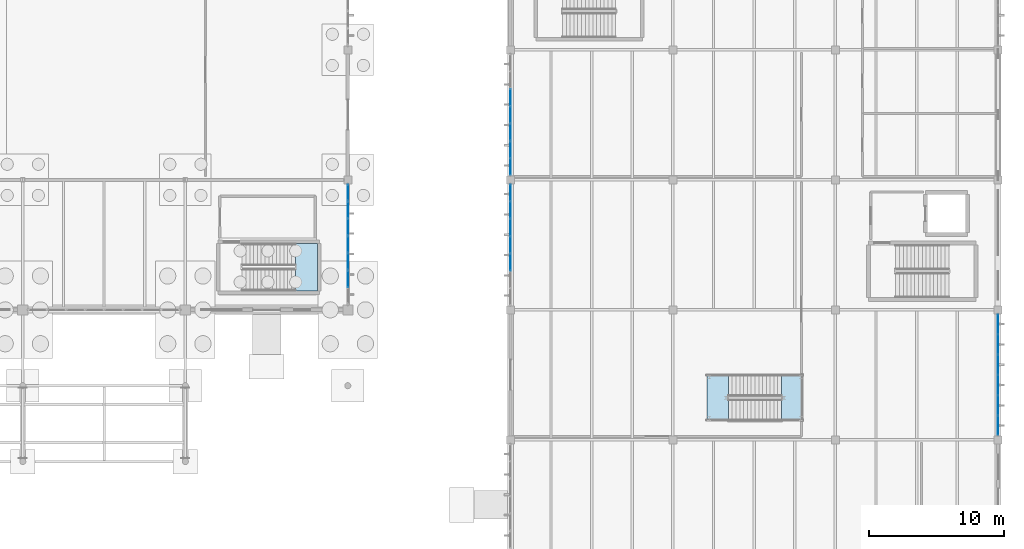
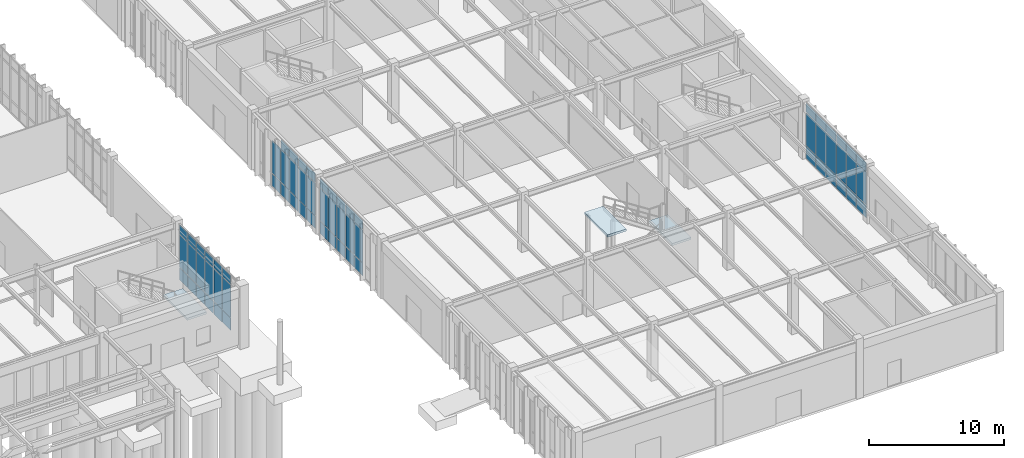
# One storey, part 141 of 188: 65 plates, 3 slabs, 6 elements without a shape of their own.
"""IFC4 building model written with IfcOpenShell, lengths in metres."""

from ifc_helpers import new_model, si_unit, direction, frame, origin, origin_2d, place, context, subcontext, project, spatial, polyline, rectangle, outline, extrude, material, layer, layer_set, type_object, element, aggregate, save


model = new_model("IFC4")

# Units and contexts
model_context = context("Model", 3, precision=1e-05, world=origin(), true_north=direction((0.0, 1.0)))
body_context = subcontext(model_context, "Body", "Model", "MODEL_VIEW")
ifc_project = project(units=[si_unit("LENGTHUNIT", "METRE"), si_unit("AREAUNIT", "SQUARE_METRE"), si_unit("VOLUMEUNIT", "CUBIC_METRE"), si_unit("PLANEANGLEUNIT", "RADIAN"), si_unit("MASSUNIT", "GRAM", prefix="KILO")], contexts=[model_context])

# Site, building, storey
site_placement = place(None, origin())
site = spatial("IfcSite", under=ifc_project, at=site_placement, CompositionType="ELEMENT")
building_placement = place(site_placement, origin())
building = spatial("IfcBuilding", under=site, at=building_placement, Name="Pandanus Reach Market Hall", CompositionType="ELEMENT")
storey_placement = place(building_placement, origin())
storey = spatial("IfcBuildingStorey", under=building, at=storey_placement, Name="L00", CompositionType="ELEMENT", Elevation=0.0)

# Curtain wall, plates
ifc_material_1 = material(Name="Bronze anodised aluminium and low-E glass", Category="aluminium")
ifc_layer_1 = layer(ifc_material_1, 0.159912109375, Name="CW-25")
ifc_layer_set_1 = layer_set([ifc_layer_1], Name="Bronze anodised aluminium and low-E glass")
curtain_wall_type_1 = type_object("IfcCurtainWallType", Name="CW-25", PredefinedType="NOTDEFINED", material=ifc_layer_set_1)
curtain_wall_1_placement = place(storey_placement, origin())
curtain_wall_1 = element("IfcCurtainWall", 1, at=curtain_wall_1_placement, inside=storey, type_object=curtain_wall_type_1, Name="Glazed curtain wall CW-25 CW-0071", PredefinedType="NOTDEFINED")
ifc_material_2 = material(Name="Solar-control double glazing", Category="glass")
ifc_layer_2 = layer(ifc_material_2, 0.028076171875, Name="CW-P1")
ifc_layer_set_2 = layer_set([ifc_layer_2], Name="Solar-control double glazing")
plate_type_1 = type_object("IfcPlateType", Name="CW-P1", PredefinedType="CURTAIN_PANEL", material=ifc_layer_set_2)
plate_1_placement = place(storey_placement, frame((180.0, 20.266357421875, 0.06494140625), z_axis=(0.0, 0.0, 1.0), x_axis=(0.0, 1.0, 0.0)))
plate_1 = element("IfcPlate", 2, at=plate_1_placement, type_object=plate_type_1, Name="CW-25 panel 1.1", PredefinedType="CURTAIN_PANEL", context=body_context, shape_type="SweptSolid", body=[
    extrude(rectangle(XDim=1.402587890625, YDim=0.028076171875, at=origin_2d()), origin(), (0.0, 0.0, 1.0), 1.1025390625),
])
plate_2_placement = place(storey_placement, frame((180.0, 20.266357421875, 1.232421875), z_axis=(0.0, 0.0, 1.0), x_axis=(0.0, 1.0, 0.0)))
plate_2 = element("IfcPlate", 3, at=plate_2_placement, type_object=plate_type_1, Name="CW-25 panel 1.2", PredefinedType="CURTAIN_PANEL", context=body_context, shape_type="SweptSolid", body=[
    extrude(rectangle(XDim=1.402587890625, YDim=0.028076171875, at=origin_2d()), origin(), (0.0, 0.0, 1.0), 2.93505859375),
])
plate_3_placement = place(storey_placement, frame((180.0, 20.266357421875, 4.232421875), z_axis=(0.0, 0.0, 1.0), x_axis=(0.0, 1.0, 0.0)))
plate_3 = element("IfcPlate", 4, at=plate_3_placement, type_object=plate_type_1, Name="CW-25 panel 1.3", PredefinedType="CURTAIN_PANEL", context=body_context, shape_type="SweptSolid", body=[
    extrude(rectangle(XDim=1.402587890625, YDim=0.028076171875, at=origin_2d()), origin(), (0.0, 0.0, 1.0), 0.802490234375),
])
plate_4_placement = place(storey_placement, frame((180.0, 21.75, 0.06494140625), z_axis=(0.0, 0.0, 1.0), x_axis=(0.0, 1.0, 0.0)))
plate_4 = element("IfcPlate", 5, at=plate_4_placement, type_object=plate_type_1, Name="CW-25 panel 2.1", PredefinedType="CURTAIN_PANEL", context=body_context, shape_type="SweptSolid", body=[
    extrude(rectangle(XDim=1.43505859375, YDim=0.028076171875, at=origin_2d()), origin(), (0.0, 0.0, 1.0), 1.1025390625),
])
plate_5_placement = place(storey_placement, frame((180.0, 21.75, 1.232421875), z_axis=(0.0, 0.0, 1.0), x_axis=(0.0, 1.0, 0.0)))
plate_5 = element("IfcPlate", 6, at=plate_5_placement, type_object=plate_type_1, Name="CW-25 panel 2.2", PredefinedType="CURTAIN_PANEL", context=body_context, shape_type="SweptSolid", body=[
    extrude(rectangle(XDim=1.43505859375, YDim=0.028076171875, at=origin_2d()), origin(), (0.0, 0.0, 1.0), 2.93505859375),
])
plate_6_placement = place(storey_placement, frame((180.0, 21.75, 4.232421875), z_axis=(0.0, 0.0, 1.0), x_axis=(0.0, 1.0, 0.0)))
plate_6 = element("IfcPlate", 7, at=plate_6_placement, type_object=plate_type_1, Name="CW-25 panel 2.3", PredefinedType="CURTAIN_PANEL", context=body_context, shape_type="SweptSolid", body=[
    extrude(rectangle(XDim=1.43505859375, YDim=0.028076171875, at=origin_2d()), origin(), (0.0, 0.0, 1.0), 0.802490234375),
])
plate_7_placement = place(storey_placement, frame((180.0, 23.25, 0.06494140625), z_axis=(0.0, 0.0, 1.0), x_axis=(0.0, 1.0, 0.0)))
plate_7 = element("IfcPlate", 8, at=plate_7_placement, type_object=plate_type_1, Name="CW-25 panel 3.1", PredefinedType="CURTAIN_PANEL", context=body_context, shape_type="SweptSolid", body=[
    extrude(rectangle(XDim=1.43505859375, YDim=0.028076171875, at=origin_2d()), origin(), (0.0, 0.0, 1.0), 1.1025390625),
])
plate_8_placement = place(storey_placement, frame((180.0, 23.25, 1.232421875), z_axis=(0.0, 0.0, 1.0), x_axis=(0.0, 1.0, 0.0)))
plate_8 = element("IfcPlate", 9, at=plate_8_placement, type_object=plate_type_1, Name="CW-25 panel 3.2", PredefinedType="CURTAIN_PANEL", context=body_context, shape_type="SweptSolid", body=[
    extrude(rectangle(XDim=1.43505859375, YDim=0.028076171875, at=origin_2d()), origin(), (0.0, 0.0, 1.0), 2.93505859375),
])
plate_9_placement = place(storey_placement, frame((180.0, 23.25, 4.232421875), z_axis=(0.0, 0.0, 1.0), x_axis=(0.0, 1.0, 0.0)))
plate_9 = element("IfcPlate", 10, at=plate_9_placement, type_object=plate_type_1, Name="CW-25 panel 3.3", PredefinedType="CURTAIN_PANEL", context=body_context, shape_type="SweptSolid", body=[
    extrude(rectangle(XDim=1.43505859375, YDim=0.028076171875, at=origin_2d()), origin(), (0.0, 0.0, 1.0), 0.802490234375),
])
plate_10_placement = place(storey_placement, frame((180.0, 24.75, 0.06494140625), z_axis=(0.0, 0.0, 1.0), x_axis=(0.0, 1.0, 0.0)))
plate_10 = element("IfcPlate", 11, at=plate_10_placement, type_object=plate_type_1, Name="CW-25 panel 4.1", PredefinedType="CURTAIN_PANEL", context=body_context, shape_type="SweptSolid", body=[
    extrude(rectangle(XDim=1.43505859375, YDim=0.028076171875, at=origin_2d()), origin(), (0.0, 0.0, 1.0), 1.1025390625),
])
plate_11_placement = place(storey_placement, frame((180.0, 24.75, 1.232421875), z_axis=(0.0, 0.0, 1.0), x_axis=(0.0, 1.0, 0.0)))
plate_11 = element("IfcPlate", 12, at=plate_11_placement, type_object=plate_type_1, Name="CW-25 panel 4.2", PredefinedType="CURTAIN_PANEL", context=body_context, shape_type="SweptSolid", body=[
    extrude(rectangle(XDim=1.43505859375, YDim=0.028076171875, at=origin_2d()), origin(), (0.0, 0.0, 1.0), 2.93505859375),
])
plate_12_placement = place(storey_placement, frame((180.0, 24.75, 4.232421875), z_axis=(0.0, 0.0, 1.0), x_axis=(0.0, 1.0, 0.0)))
plate_12 = element("IfcPlate", 13, at=plate_12_placement, type_object=plate_type_1, Name="CW-25 panel 4.3", PredefinedType="CURTAIN_PANEL", context=body_context, shape_type="SweptSolid", body=[
    extrude(rectangle(XDim=1.43505859375, YDim=0.028076171875, at=origin_2d()), origin(), (0.0, 0.0, 1.0), 0.802490234375),
])
plate_13_placement = place(storey_placement, frame((180.0, 26.25, 0.06494140625), z_axis=(0.0, 0.0, 1.0), x_axis=(0.0, 1.0, 0.0)))
plate_13 = element("IfcPlate", 14, at=plate_13_placement, type_object=plate_type_1, Name="CW-25 panel 5.1", PredefinedType="CURTAIN_PANEL", context=body_context, shape_type="SweptSolid", body=[
    extrude(rectangle(XDim=1.43505859375, YDim=0.028076171875, at=origin_2d()), origin(), (0.0, 0.0, 1.0), 1.1025390625),
])
plate_14_placement = place(storey_placement, frame((180.0, 26.25, 1.232421875), z_axis=(0.0, 0.0, 1.0), x_axis=(0.0, 1.0, 0.0)))
plate_14 = element("IfcPlate", 15, at=plate_14_placement, type_object=plate_type_1, Name="CW-25 panel 5.2", PredefinedType="CURTAIN_PANEL", context=body_context, shape_type="SweptSolid", body=[
    extrude(rectangle(XDim=1.43505859375, YDim=0.028076171875, at=origin_2d()), origin(), (0.0, 0.0, 1.0), 2.93505859375),
])
plate_15_placement = place(storey_placement, frame((180.0, 26.25, 4.232421875), z_axis=(0.0, 0.0, 1.0), x_axis=(0.0, 1.0, 0.0)))
plate_15 = element("IfcPlate", 16, at=plate_15_placement, type_object=plate_type_1, Name="CW-25 panel 5.3", PredefinedType="CURTAIN_PANEL", context=body_context, shape_type="SweptSolid", body=[
    extrude(rectangle(XDim=1.43505859375, YDim=0.028076171875, at=origin_2d()), origin(), (0.0, 0.0, 1.0), 0.802490234375),
])
plate_16_placement = place(storey_placement, frame((180.0, 27.733642578125, 0.06494140625), z_axis=(0.0, 0.0, 1.0), x_axis=(0.0, 1.0, 0.0)))
plate_16 = element("IfcPlate", 17, at=plate_16_placement, type_object=plate_type_1, Name="CW-25 panel 6.1", PredefinedType="CURTAIN_PANEL", context=body_context, shape_type="SweptSolid", body=[
    extrude(rectangle(XDim=1.402587890625, YDim=0.028076171875, at=origin_2d()), origin(), (0.0, 0.0, 1.0), 1.1025390625),
])
plate_17_placement = place(storey_placement, frame((180.0, 27.733642578125, 1.232421875), z_axis=(0.0, 0.0, 1.0), x_axis=(0.0, 1.0, 0.0)))
plate_17 = element("IfcPlate", 18, at=plate_17_placement, type_object=plate_type_1, Name="CW-25 panel 6.2", PredefinedType="CURTAIN_PANEL", context=body_context, shape_type="SweptSolid", body=[
    extrude(rectangle(XDim=1.402587890625, YDim=0.028076171875, at=origin_2d()), origin(), (0.0, 0.0, 1.0), 2.93505859375),
])
plate_18_placement = place(storey_placement, frame((180.0, 27.733642578125, 4.232421875), z_axis=(0.0, 0.0, 1.0), x_axis=(0.0, 1.0, 0.0)))
plate_18 = element("IfcPlate", 19, at=plate_18_placement, type_object=plate_type_1, Name="CW-25 panel 6.3", PredefinedType="CURTAIN_PANEL", context=body_context, shape_type="SweptSolid", body=[
    extrude(rectangle(XDim=1.402587890625, YDim=0.028076171875, at=origin_2d()), origin(), (0.0, 0.0, 1.0), 0.802490234375),
])
aggregate(curtain_wall_1, [plate_1, plate_2, plate_3, plate_4, plate_5, plate_6, plate_7, plate_8, plate_9, plate_10, plate_11, plate_12, plate_13, plate_14, plate_15, plate_16, plate_17, plate_18])

ifc_layer_3 = layer(ifc_material_1, 0.159912109375, Name="CW-26")
ifc_layer_set_3 = layer_set([ifc_layer_3], Name="Bronze anodised aluminium and low-E glass")
curtain_wall_type_2 = type_object("IfcCurtainWallType", Name="CW-26", PredefinedType="NOTDEFINED", material=ifc_layer_set_3)
curtain_wall_2_placement = place(storey_placement, origin())
curtain_wall_2 = element("IfcCurtainWall", 20, at=curtain_wall_2_placement, inside=storey, type_object=curtain_wall_type_2, Name="Glazed curtain wall CW-26 CW-0077", PredefinedType="NOTDEFINED")
plate_19_placement = place(storey_placement, frame((144.0, 32.314208984375, 0.06494140625), z_axis=(0.0, 0.0, 1.0), x_axis=(0.0, 1.0, 0.0)))
plate_19 = element("IfcPlate", 21, at=plate_19_placement, type_object=plate_type_1, Name="CW-26 panel 3.1", PredefinedType="CURTAIN_PANEL", context=body_context, shape_type="SweptSolid", body=[
    extrude(rectangle(XDim=1.220703125, YDim=0.028076171875, at=origin_2d()), origin(), (0.0, 0.0, 1.0), 1.1025390625),
])
plate_20_placement = place(storey_placement, frame((144.0, 32.314208984375, 1.232421875), z_axis=(0.0, 0.0, 1.0), x_axis=(0.0, 1.0, 0.0)))
plate_20 = element("IfcPlate", 22, at=plate_20_placement, type_object=plate_type_1, Name="CW-26 panel 3.2", PredefinedType="CURTAIN_PANEL", context=body_context, shape_type="SweptSolid", body=[
    extrude(rectangle(XDim=1.220703125, YDim=0.028076171875, at=origin_2d()), origin(), (0.0, 0.0, 1.0), 2.93505859375),
])
plate_21_placement = place(storey_placement, frame((144.0, 32.314208984375, 4.232421875), z_axis=(0.0, 0.0, 1.0), x_axis=(0.0, 1.0, 0.0)))
plate_21 = element("IfcPlate", 23, at=plate_21_placement, type_object=plate_type_1, Name="CW-26 panel 3.3", PredefinedType="CURTAIN_PANEL", context=body_context, shape_type="SweptSolid", body=[
    extrude(rectangle(XDim=1.220703125, YDim=0.028076171875, at=origin_2d()), origin(), (0.0, 0.0, 1.0), 0.802490234375),
])
plate_22_placement = place(storey_placement, frame((144.0, 33.60009765625, 0.06494140625), z_axis=(0.0, 0.0, 1.0), x_axis=(0.0, 1.0, 0.0)))
plate_22 = element("IfcPlate", 24, at=plate_22_placement, type_object=plate_type_1, Name="CW-26 panel 4.1", PredefinedType="CURTAIN_PANEL", context=body_context, shape_type="SweptSolid", body=[
    extrude(rectangle(XDim=1.220703125, YDim=0.028076171875, at=origin_2d()), origin(), (0.0, 0.0, 1.0), 1.1025390625),
])
plate_23_placement = place(storey_placement, frame((144.0, 33.60009765625, 1.232421875), z_axis=(0.0, 0.0, 1.0), x_axis=(0.0, 1.0, 0.0)))
plate_23 = element("IfcPlate", 25, at=plate_23_placement, type_object=plate_type_1, Name="CW-26 panel 4.2", PredefinedType="CURTAIN_PANEL", context=body_context, shape_type="SweptSolid", body=[
    extrude(rectangle(XDim=1.220703125, YDim=0.028076171875, at=origin_2d()), origin(), (0.0, 0.0, 1.0), 2.93505859375),
])
plate_24_placement = place(storey_placement, frame((144.0, 33.60009765625, 4.232421875), z_axis=(0.0, 0.0, 1.0), x_axis=(0.0, 1.0, 0.0)))
plate_24 = element("IfcPlate", 26, at=plate_24_placement, type_object=plate_type_1, Name="CW-26 panel 4.3", PredefinedType="CURTAIN_PANEL", context=body_context, shape_type="SweptSolid", body=[
    extrude(rectangle(XDim=1.220703125, YDim=0.028076171875, at=origin_2d()), origin(), (0.0, 0.0, 1.0), 0.802490234375),
])
plate_25_placement = place(storey_placement, frame((144.0, 34.8857421875, 0.06494140625), z_axis=(0.0, 0.0, 1.0), x_axis=(0.0, 1.0, 0.0)))
plate_25 = element("IfcPlate", 27, at=plate_25_placement, type_object=plate_type_1, Name="CW-26 panel 5.1", PredefinedType="CURTAIN_PANEL", context=body_context, shape_type="SweptSolid", body=[
    extrude(rectangle(XDim=1.220703125, YDim=0.028076171875, at=origin_2d()), origin(), (0.0, 0.0, 1.0), 1.1025390625),
])
plate_26_placement = place(storey_placement, frame((144.0, 34.8857421875, 1.232421875), z_axis=(0.0, 0.0, 1.0), x_axis=(0.0, 1.0, 0.0)))
plate_26 = element("IfcPlate", 28, at=plate_26_placement, type_object=plate_type_1, Name="CW-26 panel 5.2", PredefinedType="CURTAIN_PANEL", context=body_context, shape_type="SweptSolid", body=[
    extrude(rectangle(XDim=1.220703125, YDim=0.028076171875, at=origin_2d()), origin(), (0.0, 0.0, 1.0), 2.93505859375),
])
plate_27_placement = place(storey_placement, frame((144.0, 34.8857421875, 4.232421875), z_axis=(0.0, 0.0, 1.0), x_axis=(0.0, 1.0, 0.0)))
plate_27 = element("IfcPlate", 29, at=plate_27_placement, type_object=plate_type_1, Name="CW-26 panel 5.3", PredefinedType="CURTAIN_PANEL", context=body_context, shape_type="SweptSolid", body=[
    extrude(rectangle(XDim=1.220703125, YDim=0.028076171875, at=origin_2d()), origin(), (0.0, 0.0, 1.0), 0.802490234375),
])
plate_28_placement = place(storey_placement, frame((144.0, 36.17138671875, 0.06494140625), z_axis=(0.0, 0.0, 1.0), x_axis=(0.0, 1.0, 0.0)))
plate_28 = element("IfcPlate", 30, at=plate_28_placement, type_object=plate_type_1, Name="CW-26 panel 6.1", PredefinedType="CURTAIN_PANEL", context=body_context, shape_type="SweptSolid", body=[
    extrude(rectangle(XDim=1.220703125, YDim=0.028076171875, at=origin_2d()), origin(), (0.0, 0.0, 1.0), 1.1025390625),
])
plate_29_placement = place(storey_placement, frame((144.0, 36.17138671875, 1.232421875), z_axis=(0.0, 0.0, 1.0), x_axis=(0.0, 1.0, 0.0)))
plate_29 = element("IfcPlate", 31, at=plate_29_placement, type_object=plate_type_1, Name="CW-26 panel 6.2", PredefinedType="CURTAIN_PANEL", context=body_context, shape_type="SweptSolid", body=[
    extrude(rectangle(XDim=1.220703125, YDim=0.028076171875, at=origin_2d()), origin(), (0.0, 0.0, 1.0), 2.93505859375),
])
plate_30_placement = place(storey_placement, frame((144.0, 36.17138671875, 4.232421875), z_axis=(0.0, 0.0, 1.0), x_axis=(0.0, 1.0, 0.0)))
plate_30 = element("IfcPlate", 32, at=plate_30_placement, type_object=plate_type_1, Name="CW-26 panel 6.3", PredefinedType="CURTAIN_PANEL", context=body_context, shape_type="SweptSolid", body=[
    extrude(rectangle(XDim=1.220703125, YDim=0.028076171875, at=origin_2d()), origin(), (0.0, 0.0, 1.0), 0.802490234375),
])
plate_31_placement = place(storey_placement, frame((144.0, 37.44091796875, 0.06494140625), z_axis=(0.0, 0.0, 1.0), x_axis=(0.0, 1.0, 0.0)))
plate_31 = element("IfcPlate", 33, at=plate_31_placement, type_object=plate_type_1, Name="CW-26 panel 7.1", PredefinedType="CURTAIN_PANEL", context=body_context, shape_type="SweptSolid", body=[
    extrude(rectangle(XDim=1.188232421875, YDim=0.028076171875, at=origin_2d()), origin(), (0.0, 0.0, 1.0), 1.1025390625),
])
plate_32_placement = place(storey_placement, frame((144.0, 37.44091796875, 1.232421875), z_axis=(0.0, 0.0, 1.0), x_axis=(0.0, 1.0, 0.0)))
plate_32 = element("IfcPlate", 34, at=plate_32_placement, type_object=plate_type_1, Name="CW-26 panel 7.2", PredefinedType="CURTAIN_PANEL", context=body_context, shape_type="SweptSolid", body=[
    extrude(rectangle(XDim=1.188232421875, YDim=0.028076171875, at=origin_2d()), origin(), (0.0, 0.0, 1.0), 2.93505859375),
])
plate_33_placement = place(storey_placement, frame((144.0, 37.44091796875, 4.232421875), z_axis=(0.0, 0.0, 1.0), x_axis=(0.0, 1.0, 0.0)))
plate_33 = element("IfcPlate", 35, at=plate_33_placement, type_object=plate_type_1, Name="CW-26 panel 7.3", PredefinedType="CURTAIN_PANEL", context=body_context, shape_type="SweptSolid", body=[
    extrude(rectangle(XDim=1.188232421875, YDim=0.028076171875, at=origin_2d()), origin(), (0.0, 0.0, 1.0), 0.802490234375),
])
aggregate(curtain_wall_2, [plate_19, plate_20, plate_21, plate_22, plate_23, plate_24, plate_25, plate_26, plate_27, plate_28, plate_29, plate_30, plate_31, plate_32, plate_33])

curtain_wall_3_placement = place(storey_placement, origin())
curtain_wall_3 = element("IfcCurtainWall", 36, at=curtain_wall_3_placement, inside=storey, type_object=curtain_wall_type_2, Name="Glazed curtain wall CW-26 CW-0078", PredefinedType="NOTDEFINED")
plate_34_placement = place(storey_placement, frame((144.0, 39.359130859375, 0.06494140625), z_axis=(0.0, 0.0, 1.0), x_axis=(0.0, 1.0, 0.0)))
plate_34 = element("IfcPlate", 37, at=plate_34_placement, type_object=plate_type_1, Name="CW-26 panel 1.1", PredefinedType="CURTAIN_PANEL", context=body_context, shape_type="SweptSolid", body=[
    extrude(rectangle(XDim=1.188232421875, YDim=0.028076171875, at=origin_2d()), origin(), (0.0, 0.0, 1.0), 1.1025390625),
])
plate_35_placement = place(storey_placement, frame((144.0, 39.359130859375, 1.232421875), z_axis=(0.0, 0.0, 1.0), x_axis=(0.0, 1.0, 0.0)))
plate_35 = element("IfcPlate", 38, at=plate_35_placement, type_object=plate_type_1, Name="CW-26 panel 1.2", PredefinedType="CURTAIN_PANEL", context=body_context, shape_type="SweptSolid", body=[
    extrude(rectangle(XDim=1.188232421875, YDim=0.028076171875, at=origin_2d()), origin(), (0.0, 0.0, 1.0), 2.93505859375),
])
plate_36_placement = place(storey_placement, frame((144.0, 39.359130859375, 4.232421875), z_axis=(0.0, 0.0, 1.0), x_axis=(0.0, 1.0, 0.0)))
plate_36 = element("IfcPlate", 39, at=plate_36_placement, type_object=plate_type_1, Name="CW-26 panel 1.3", PredefinedType="CURTAIN_PANEL", context=body_context, shape_type="SweptSolid", body=[
    extrude(rectangle(XDim=1.188232421875, YDim=0.028076171875, at=origin_2d()), origin(), (0.0, 0.0, 1.0), 0.802490234375),
])
plate_37_placement = place(storey_placement, frame((144.0, 40.628662109375, 0.06494140625), z_axis=(0.0, 0.0, 1.0), x_axis=(0.0, 1.0, 0.0)))
plate_37 = element("IfcPlate", 40, at=plate_37_placement, type_object=plate_type_1, Name="CW-26 panel 2.1", PredefinedType="CURTAIN_PANEL", context=body_context, shape_type="SweptSolid", body=[
    extrude(rectangle(XDim=1.220703125, YDim=0.028076171875, at=origin_2d()), origin(), (0.0, 0.0, 1.0), 1.1025390625),
])
plate_38_placement = place(storey_placement, frame((144.0, 40.628662109375, 1.232421875), z_axis=(0.0, 0.0, 1.0), x_axis=(0.0, 1.0, 0.0)))
plate_38 = element("IfcPlate", 41, at=plate_38_placement, type_object=plate_type_1, Name="CW-26 panel 2.2", PredefinedType="CURTAIN_PANEL", context=body_context, shape_type="SweptSolid", body=[
    extrude(rectangle(XDim=1.220703125, YDim=0.028076171875, at=origin_2d()), origin(), (0.0, 0.0, 1.0), 2.93505859375),
])
plate_39_placement = place(storey_placement, frame((144.0, 40.628662109375, 4.232421875), z_axis=(0.0, 0.0, 1.0), x_axis=(0.0, 1.0, 0.0)))
plate_39 = element("IfcPlate", 42, at=plate_39_placement, type_object=plate_type_1, Name="CW-26 panel 2.3", PredefinedType="CURTAIN_PANEL", context=body_context, shape_type="SweptSolid", body=[
    extrude(rectangle(XDim=1.220703125, YDim=0.028076171875, at=origin_2d()), origin(), (0.0, 0.0, 1.0), 0.802490234375),
])
plate_40_placement = place(storey_placement, frame((144.0, 41.914306640625, 0.06494140625), z_axis=(0.0, 0.0, 1.0), x_axis=(0.0, 1.0, 0.0)))
plate_40 = element("IfcPlate", 43, at=plate_40_placement, type_object=plate_type_1, Name="CW-26 panel 3.1", PredefinedType="CURTAIN_PANEL", context=body_context, shape_type="SweptSolid", body=[
    extrude(rectangle(XDim=1.220703125, YDim=0.028076171875, at=origin_2d()), origin(), (0.0, 0.0, 1.0), 1.1025390625),
])
plate_41_placement = place(storey_placement, frame((144.0, 41.914306640625, 1.232421875), z_axis=(0.0, 0.0, 1.0), x_axis=(0.0, 1.0, 0.0)))
plate_41 = element("IfcPlate", 44, at=plate_41_placement, type_object=plate_type_1, Name="CW-26 panel 3.2", PredefinedType="CURTAIN_PANEL", context=body_context, shape_type="SweptSolid", body=[
    extrude(rectangle(XDim=1.220703125, YDim=0.028076171875, at=origin_2d()), origin(), (0.0, 0.0, 1.0), 2.93505859375),
])
plate_42_placement = place(storey_placement, frame((144.0, 41.914306640625, 4.232421875), z_axis=(0.0, 0.0, 1.0), x_axis=(0.0, 1.0, 0.0)))
plate_42 = element("IfcPlate", 45, at=plate_42_placement, type_object=plate_type_1, Name="CW-26 panel 3.3", PredefinedType="CURTAIN_PANEL", context=body_context, shape_type="SweptSolid", body=[
    extrude(rectangle(XDim=1.220703125, YDim=0.028076171875, at=origin_2d()), origin(), (0.0, 0.0, 1.0), 0.802490234375),
])
plate_43_placement = place(storey_placement, frame((144.0, 43.199951171875, 0.06494140625), z_axis=(0.0, 0.0, 1.0), x_axis=(0.0, 1.0, 0.0)))
plate_43 = element("IfcPlate", 46, at=plate_43_placement, type_object=plate_type_1, Name="CW-26 panel 4.1", PredefinedType="CURTAIN_PANEL", context=body_context, shape_type="SweptSolid", body=[
    extrude(rectangle(XDim=1.220703125, YDim=0.028076171875, at=origin_2d()), origin(), (0.0, 0.0, 1.0), 1.1025390625),
])
plate_44_placement = place(storey_placement, frame((144.0, 43.199951171875, 1.232421875), z_axis=(0.0, 0.0, 1.0), x_axis=(0.0, 1.0, 0.0)))
plate_44 = element("IfcPlate", 47, at=plate_44_placement, type_object=plate_type_1, Name="CW-26 panel 4.2", PredefinedType="CURTAIN_PANEL", context=body_context, shape_type="SweptSolid", body=[
    extrude(rectangle(XDim=1.220703125, YDim=0.028076171875, at=origin_2d()), origin(), (0.0, 0.0, 1.0), 2.93505859375),
])
plate_45_placement = place(storey_placement, frame((144.0, 43.199951171875, 4.232421875), z_axis=(0.0, 0.0, 1.0), x_axis=(0.0, 1.0, 0.0)))
plate_45 = element("IfcPlate", 48, at=plate_45_placement, type_object=plate_type_1, Name="CW-26 panel 4.3", PredefinedType="CURTAIN_PANEL", context=body_context, shape_type="SweptSolid", body=[
    extrude(rectangle(XDim=1.220703125, YDim=0.028076171875, at=origin_2d()), origin(), (0.0, 0.0, 1.0), 0.802490234375),
])
plate_46_placement = place(storey_placement, frame((144.0, 44.485595703125, 0.06494140625), z_axis=(0.0, 0.0, 1.0), x_axis=(0.0, 1.0, 0.0)))
plate_46 = element("IfcPlate", 49, at=plate_46_placement, type_object=plate_type_1, Name="CW-26 panel 5.1", PredefinedType="CURTAIN_PANEL", context=body_context, shape_type="SweptSolid", body=[
    extrude(rectangle(XDim=1.220703125, YDim=0.028076171875, at=origin_2d()), origin(), (0.0, 0.0, 1.0), 1.1025390625),
])
plate_47_placement = place(storey_placement, frame((144.0, 44.485595703125, 1.232421875), z_axis=(0.0, 0.0, 1.0), x_axis=(0.0, 1.0, 0.0)))
plate_47 = element("IfcPlate", 50, at=plate_47_placement, type_object=plate_type_1, Name="CW-26 panel 5.2", PredefinedType="CURTAIN_PANEL", context=body_context, shape_type="SweptSolid", body=[
    extrude(rectangle(XDim=1.220703125, YDim=0.028076171875, at=origin_2d()), origin(), (0.0, 0.0, 1.0), 2.93505859375),
])
aggregate(curtain_wall_3, [plate_34, plate_35, plate_36, plate_37, plate_38, plate_39, plate_40, plate_41, plate_42, plate_43, plate_44, plate_45, plate_46, plate_47])

ifc_layer_4 = layer(ifc_material_1, 0.199951171875, Name="CW-03")
ifc_layer_set_4 = layer_set([ifc_layer_4], Name="Bronze anodised aluminium and low-E glass")
curtain_wall_type_3 = type_object("IfcCurtainWallType", Name="CW-03", PredefinedType="NOTDEFINED", material=ifc_layer_set_4)
curtain_wall_4_placement = place(storey_placement, origin())
curtain_wall_4 = element("IfcCurtainWall", 51, at=curtain_wall_4_placement, inside=storey, type_object=curtain_wall_type_3, Name="Glazed curtain wall CW-03 CW-0020", PredefinedType="NOTDEFINED")
ifc_material_3 = material(Name="Acoustic laminated solar double glazing", Category="glass")
ifc_layer_5 = layer(ifc_material_3, 0.031982421875, Name="CW-P2")
ifc_layer_set_5 = layer_set([ifc_layer_5], Name="Acoustic laminated solar double glazing")
plate_type_2 = type_object("IfcPlateType", Name="CW-P2", PredefinedType="CURTAIN_PANEL", material=ifc_layer_set_5)
plate_48_placement = place(storey_placement, frame((132.0, 31.08740234375, 0.074951171875), z_axis=(0.0, 0.0, 1.0), x_axis=(0.0, 1.0, 0.0)))
plate_48 = element("IfcPlate", 52, at=plate_48_placement, type_object=plate_type_2, Name="CW-03 panel 2.1", PredefinedType="CURTAIN_PANEL", context=body_context, shape_type="SweptSolid", body=[
    extrude(rectangle(XDim=1.199951171875, YDim=0.031982421875, at=origin_2d()), origin(), (0.0, 0.0, 1.0), 1.08740234375),
])
plate_49_placement = place(storey_placement, frame((132.0, 31.08740234375, 1.2373046875), z_axis=(0.0, 0.0, 1.0), x_axis=(0.0, 1.0, 0.0)))
plate_49 = element("IfcPlate", 53, at=plate_49_placement, type_object=plate_type_2, Name="CW-03 panel 2.2", PredefinedType="CURTAIN_PANEL", context=body_context, shape_type="SweptSolid", body=[
    extrude(rectangle(XDim=1.199951171875, YDim=0.031982421875, at=origin_2d()), origin(), (0.0, 0.0, 1.0), 2.925048828125),
])
plate_50_placement = place(storey_placement, frame((132.0, 31.08740234375, 4.237548828125), z_axis=(0.0, 0.0, 1.0), x_axis=(0.0, 1.0, 0.0)))
plate_50 = element("IfcPlate", 54, at=plate_50_placement, type_object=plate_type_2, Name="CW-03 panel 2.3", PredefinedType="CURTAIN_PANEL", context=body_context, shape_type="SweptSolid", body=[
    extrude(rectangle(XDim=1.199951171875, YDim=0.031982421875, at=origin_2d()), origin(), (0.0, 0.0, 1.0), 0.78759765625),
])
plate_51_placement = place(storey_placement, frame((132.0, 32.362548828125, 0.074951171875), z_axis=(0.0, 0.0, 1.0), x_axis=(0.0, 1.0, 0.0)))
plate_51 = element("IfcPlate", 55, at=plate_51_placement, type_object=plate_type_2, Name="CW-03 panel 3.1", PredefinedType="CURTAIN_PANEL", context=body_context, shape_type="SweptSolid", body=[
    extrude(rectangle(XDim=1.199951171875, YDim=0.031982421875, at=origin_2d()), origin(), (0.0, 0.0, 1.0), 1.08740234375),
])
plate_52_placement = place(storey_placement, frame((132.0, 32.362548828125, 1.2373046875), z_axis=(0.0, 0.0, 1.0), x_axis=(0.0, 1.0, 0.0)))
plate_52 = element("IfcPlate", 56, at=plate_52_placement, type_object=plate_type_2, Name="CW-03 panel 3.2", PredefinedType="CURTAIN_PANEL", context=body_context, shape_type="SweptSolid", body=[
    extrude(rectangle(XDim=1.199951171875, YDim=0.031982421875, at=origin_2d()), origin(), (0.0, 0.0, 1.0), 2.925048828125),
])
plate_53_placement = place(storey_placement, frame((132.0, 32.362548828125, 4.237548828125), z_axis=(0.0, 0.0, 1.0), x_axis=(0.0, 1.0, 0.0)))
plate_53 = element("IfcPlate", 57, at=plate_53_placement, type_object=plate_type_2, Name="CW-03 panel 3.3", PredefinedType="CURTAIN_PANEL", context=body_context, shape_type="SweptSolid", body=[
    extrude(rectangle(XDim=1.199951171875, YDim=0.031982421875, at=origin_2d()), origin(), (0.0, 0.0, 1.0), 0.78759765625),
])
plate_54_placement = place(storey_placement, frame((132.0, 33.637451171875, 0.074951171875), z_axis=(0.0, 0.0, 1.0), x_axis=(0.0, 1.0, 0.0)))
plate_54 = element("IfcPlate", 58, at=plate_54_placement, type_object=plate_type_2, Name="CW-03 panel 4.1", PredefinedType="CURTAIN_PANEL", context=body_context, shape_type="SweptSolid", body=[
    extrude(rectangle(XDim=1.199951171875, YDim=0.031982421875, at=origin_2d()), origin(), (0.0, 0.0, 1.0), 1.08740234375),
])
plate_55_placement = place(storey_placement, frame((132.0, 33.637451171875, 1.2373046875), z_axis=(0.0, 0.0, 1.0), x_axis=(0.0, 1.0, 0.0)))
plate_55 = element("IfcPlate", 59, at=plate_55_placement, type_object=plate_type_2, Name="CW-03 panel 4.2", PredefinedType="CURTAIN_PANEL", context=body_context, shape_type="SweptSolid", body=[
    extrude(rectangle(XDim=1.199951171875, YDim=0.031982421875, at=origin_2d()), origin(), (0.0, 0.0, 1.0), 2.925048828125),
])
plate_56_placement = place(storey_placement, frame((132.0, 33.637451171875, 4.237548828125), z_axis=(0.0, 0.0, 1.0), x_axis=(0.0, 1.0, 0.0)))
plate_56 = element("IfcPlate", 60, at=plate_56_placement, type_object=plate_type_2, Name="CW-03 panel 4.3", PredefinedType="CURTAIN_PANEL", context=body_context, shape_type="SweptSolid", body=[
    extrude(rectangle(XDim=1.199951171875, YDim=0.031982421875, at=origin_2d()), origin(), (0.0, 0.0, 1.0), 0.78759765625),
])
plate_57_placement = place(storey_placement, frame((132.0, 34.91259765625, 0.074951171875), z_axis=(0.0, 0.0, 1.0), x_axis=(0.0, 1.0, 0.0)))
plate_57 = element("IfcPlate", 61, at=plate_57_placement, type_object=plate_type_2, Name="CW-03 panel 5.1", PredefinedType="CURTAIN_PANEL", context=body_context, shape_type="SweptSolid", body=[
    extrude(rectangle(XDim=1.199951171875, YDim=0.031982421875, at=origin_2d()), origin(), (0.0, 0.0, 1.0), 1.08740234375),
])
plate_58_placement = place(storey_placement, frame((132.0, 34.91259765625, 1.2373046875), z_axis=(0.0, 0.0, 1.0), x_axis=(0.0, 1.0, 0.0)))
plate_58 = element("IfcPlate", 62, at=plate_58_placement, type_object=plate_type_2, Name="CW-03 panel 5.2", PredefinedType="CURTAIN_PANEL", context=body_context, shape_type="SweptSolid", body=[
    extrude(rectangle(XDim=1.199951171875, YDim=0.031982421875, at=origin_2d()), origin(), (0.0, 0.0, 1.0), 2.925048828125),
])
plate_59_placement = place(storey_placement, frame((132.0, 34.91259765625, 4.237548828125), z_axis=(0.0, 0.0, 1.0), x_axis=(0.0, 1.0, 0.0)))
plate_59 = element("IfcPlate", 63, at=plate_59_placement, type_object=plate_type_2, Name="CW-03 panel 5.3", PredefinedType="CURTAIN_PANEL", context=body_context, shape_type="SweptSolid", body=[
    extrude(rectangle(XDim=1.199951171875, YDim=0.031982421875, at=origin_2d()), origin(), (0.0, 0.0, 1.0), 0.78759765625),
])
plate_60_placement = place(storey_placement, frame((132.0, 36.1875, 0.074951171875), z_axis=(0.0, 0.0, 1.0), x_axis=(0.0, 1.0, 0.0)))
plate_60 = element("IfcPlate", 64, at=plate_60_placement, type_object=plate_type_2, Name="CW-03 panel 6.1", PredefinedType="CURTAIN_PANEL", context=body_context, shape_type="SweptSolid", body=[
    extrude(rectangle(XDim=1.199951171875, YDim=0.031982421875, at=origin_2d()), origin(), (0.0, 0.0, 1.0), 1.08740234375),
])
plate_61_placement = place(storey_placement, frame((132.0, 36.1875, 1.2373046875), z_axis=(0.0, 0.0, 1.0), x_axis=(0.0, 1.0, 0.0)))
plate_61 = element("IfcPlate", 65, at=plate_61_placement, type_object=plate_type_2, Name="CW-03 panel 6.2", PredefinedType="CURTAIN_PANEL", context=body_context, shape_type="SweptSolid", body=[
    extrude(rectangle(XDim=1.199951171875, YDim=0.031982421875, at=origin_2d()), origin(), (0.0, 0.0, 1.0), 2.925048828125),
])
plate_62_placement = place(storey_placement, frame((132.0, 36.1875, 4.237548828125), z_axis=(0.0, 0.0, 1.0), x_axis=(0.0, 1.0, 0.0)))
plate_62 = element("IfcPlate", 66, at=plate_62_placement, type_object=plate_type_2, Name="CW-03 panel 6.3", PredefinedType="CURTAIN_PANEL", context=body_context, shape_type="SweptSolid", body=[
    extrude(rectangle(XDim=1.199951171875, YDim=0.031982421875, at=origin_2d()), origin(), (0.0, 0.0, 1.0), 0.78759765625),
])
plate_63_placement = place(storey_placement, frame((132.0, 37.44384765625, 0.074951171875), z_axis=(0.0, 0.0, 1.0), x_axis=(0.0, 1.0, 0.0)))
plate_63 = element("IfcPlate", 67, at=plate_63_placement, type_object=plate_type_2, Name="CW-03 panel 7.1", PredefinedType="CURTAIN_PANEL", context=body_context, shape_type="SweptSolid", body=[
    extrude(rectangle(XDim=1.16259765625, YDim=0.031982421875, at=origin_2d()), origin(), (0.0, 0.0, 1.0), 1.08740234375),
])
plate_64_placement = place(storey_placement, frame((132.0, 37.44384765625, 1.2373046875), z_axis=(0.0, 0.0, 1.0), x_axis=(0.0, 1.0, 0.0)))
plate_64 = element("IfcPlate", 68, at=plate_64_placement, type_object=plate_type_2, Name="CW-03 panel 7.2", PredefinedType="CURTAIN_PANEL", context=body_context, shape_type="SweptSolid", body=[
    extrude(rectangle(XDim=1.16259765625, YDim=0.031982421875, at=origin_2d()), origin(), (0.0, 0.0, 1.0), 2.925048828125),
])
plate_65_placement = place(storey_placement, frame((132.0, 37.44384765625, 4.237548828125), z_axis=(0.0, 0.0, 1.0), x_axis=(0.0, 1.0, 0.0)))
plate_65 = element("IfcPlate", 69, at=plate_65_placement, type_object=plate_type_2, Name="CW-03 panel 7.3", PredefinedType="CURTAIN_PANEL", context=body_context, shape_type="SweptSolid", body=[
    extrude(rectangle(XDim=1.16259765625, YDim=0.031982421875, at=origin_2d()), origin(), (0.0, 0.0, 1.0), 0.78759765625),
])
aggregate(curtain_wall_4, [plate_48, plate_49, plate_50, plate_51, plate_52, plate_53, plate_54, plate_55, plate_56, plate_57, plate_58, plate_59, plate_60, plate_61, plate_62, plate_63, plate_64, plate_65])

# Stair, slab
ifc_material_4 = material(Name="Concrete N40 (40 MPa)", Category="concrete")
stair_type_1 = type_object("IfcStairType", Name="STR-08", PredefinedType="HALF_TURN_STAIR", material=ifc_material_4)
stair_1_placement = place(storey_placement, origin())
stair_1 = element("IfcStair", 70, at=stair_1_placement, inside=storey, type_object=stair_type_1, Name="Stair ST-08 L00", PredefinedType="HALF_TURN_STAIR")
ifc_layer_6 = layer(ifc_material_4, 0.199951171875, Name="SL-LND-200")
ifc_layer_set_6 = layer_set([ifc_layer_6], Name="Concrete N40 (40 MPa)")
slab_type = type_object("IfcSlabType", Name="SL-LND-200", PredefinedType="LANDING", material=ifc_layer_set_6)
slab_1_placement = place(storey_placement, frame((0.0, 0.0, 2.5)))
slab_1 = element("IfcSlab", 71, at=slab_1_placement, type_object=slab_type, Name="STR-08 landing 1", PredefinedType="LANDING", context=body_context, shape_type="SweptSolid", body=[
    extrude(outline(polyline([(128.1201171875, 30.199951171875), (129.77001953125, 30.199951171875), (129.77001953125, 33.699951171875), (128.1201171875, 33.699951171875), (128.1201171875, 30.199951171875)])), origin(), (0.0, 0.0, 1.0), 0.199951171875),
])
aggregate(stair_1, [slab_1])

# Stair, slabs
stair_type_2 = type_object("IfcStairType", Name="STR-09", PredefinedType="HALF_TURN_STAIR", material=ifc_material_4)
stair_2_placement = place(storey_placement, origin())
stair_2 = element("IfcStair", 72, at=stair_2_placement, inside=storey, type_object=stair_type_2, Name="Stair ST-11 L00", PredefinedType="HALF_TURN_STAIR")
slab_2_placement = place(storey_placement, frame((0.0, 0.0, 2.5)))
slab_2 = element("IfcSlab", 73, at=slab_2_placement, type_object=slab_type, Name="STR-09 landing 1", PredefinedType="LANDING", context=body_context, shape_type="SweptSolid", body=[
    extrude(outline(polyline([(164.02001953125, 20.60009765625), (165.6201171875, 20.60009765625), (165.6201171875, 24.02001953125), (164.02001953125, 24.02001953125), (164.02001953125, 20.60009765625)])), origin(), (0.0, 0.0, 1.0), 0.199951171875),
])
slab_3_placement = place(storey_placement, frame((0.0, 0.0, 5.199951171875)))
slab_3 = element("IfcSlab", 74, at=slab_3_placement, type_object=slab_type, Name="STR-09 landing 2", PredefinedType="LANDING", context=body_context, shape_type="SweptSolid", body=[
    extrude(outline(polyline([(158.5, 20.60009765625), (160.10009765625, 20.60009765625), (160.10009765625, 24.02001953125), (158.5, 24.02001953125), (158.5, 20.60009765625)])), origin(), (0.0, 0.0, 1.0), 0.199951171875),
])
aggregate(stair_2, [slab_2, slab_3])

save(model, "model.ifc")
